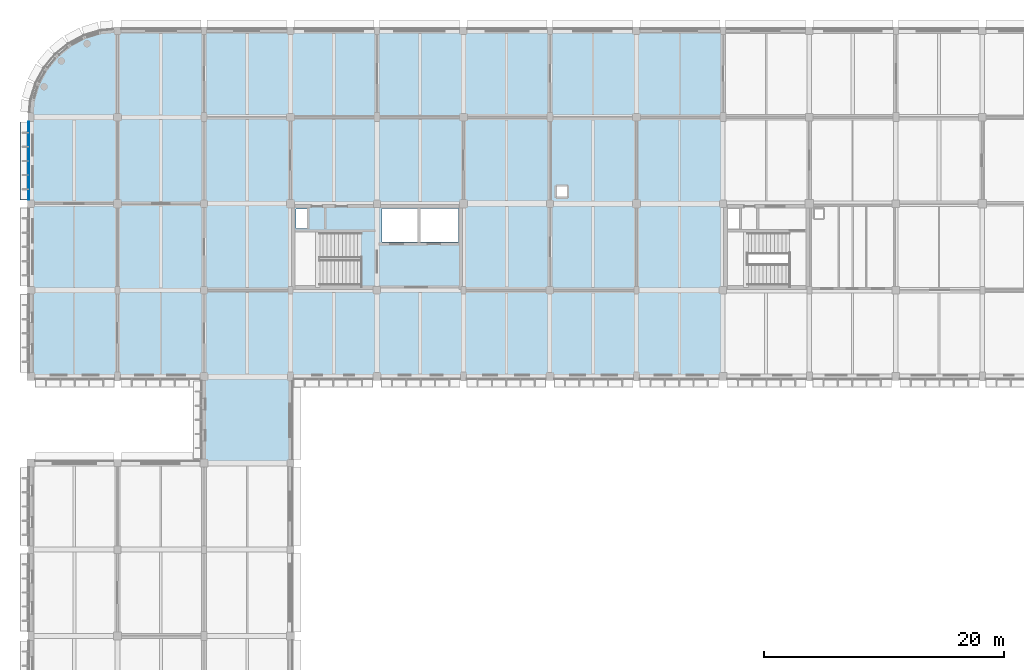
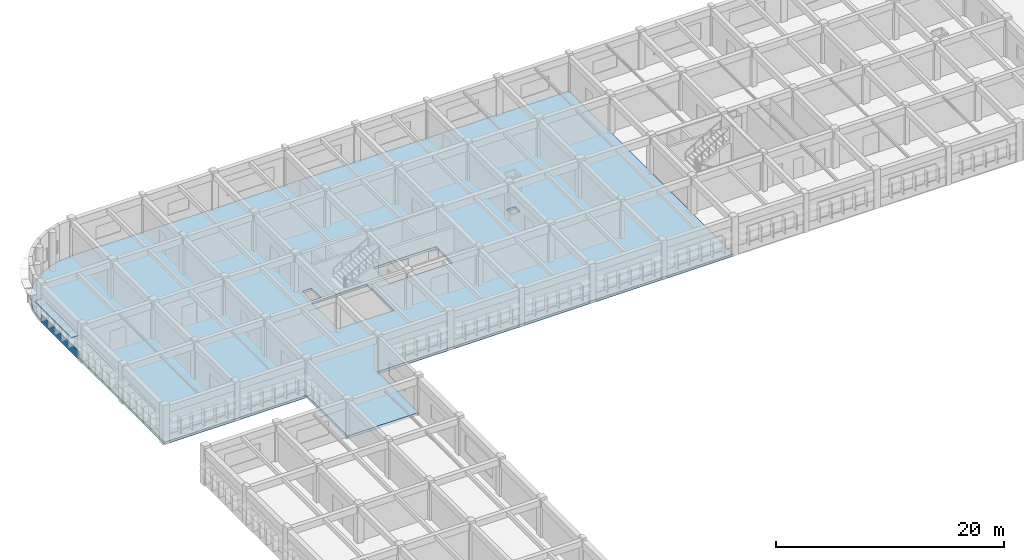
# One storey, part 15 of 38: 2 plates, 1 slab.
"""IFC4 building model written with IfcOpenShell, lengths in metres."""

from ifc_helpers import new_model, si_unit, direction, frame, origin, origin_2d, place, context, subcontext, project, spatial, polyline, rectangle, outline, extrude, material, layer, layer_set, type_object, element, save


model = new_model("IFC4")

# Units and contexts
model_context = context("Model", 3, precision=1e-05, world=origin(), true_north=direction((0.0, 1.0)))
body_context = subcontext(model_context, "Body", "Model", "MODEL_VIEW")
ifc_project = project(units=[si_unit("LENGTHUNIT", "METRE"), si_unit("AREAUNIT", "SQUARE_METRE"), si_unit("VOLUMEUNIT", "CUBIC_METRE"), si_unit("PLANEANGLEUNIT", "RADIAN"), si_unit("MASSUNIT", "GRAM", prefix="KILO")], contexts=[model_context])

# Site, building, storey
site_placement = place(None, origin())
site = spatial("IfcSite", under=ifc_project, at=site_placement, CompositionType="ELEMENT")
building_placement = place(site_placement, origin())
building = spatial("IfcBuilding", under=site, at=building_placement, Name="Thalmaran Polytechnic", CompositionType="ELEMENT")
storey_placement = place(building_placement, frame((0.0, 0.0, 18.60009765625)))
storey = spatial("IfcBuildingStorey", under=building, at=storey_placement, Name="L04", CompositionType="ELEMENT", Elevation=18.60009765625)

# Plates
ifc_material_1 = material(Name="Anodised aluminium spandrel band", Category="aluminium")
ifc_layer_1 = layer(ifc_material_1, 0.054931640625, Name="Anodised aluminium spandrel band")
ifc_layer_set_1 = layer_set([ifc_layer_1], Name="Anodised aluminium spandrel band")
plate_type_1 = type_object("IfcPlateType", Name="PT-BD01", PredefinedType="SHEET", material=ifc_layer_set_1)
plate_1_placement = place(storey_placement, frame((-0.195068359375, 111.5625, 0.02001953125), z_axis=(0.0, 0.0, 1.0), x_axis=(0.0, 1.0, 0.0)))
element("IfcPlate", 1, at=plate_1_placement, inside=storey, type_object=plate_type_1, Name="Streamline Horizontal Spandrel Band L04-044", PredefinedType="SHEET", context=body_context, shape_type="SweptSolid", body=[
    extrude(rectangle(XDim=6.485107421875, YDim=0.054931640625, at=origin_2d()), origin(), (0.0, 0.0, 1.0), 0.8798828125),
])
ifc_material_2 = material(Name="Anodised aluminium sun-hood eyebrow", Category="aluminium")
ifc_layer_2 = layer(ifc_material_2, 0.0849609375, Name="Anodised aluminium sun-hood eyebrow")
ifc_layer_set_2 = layer_set([ifc_layer_2], Name="Anodised aluminium sun-hood eyebrow")
plate_type_2 = type_object("IfcPlateType", Name="PT-EB01", PredefinedType="SHEET", material=ifc_layer_set_2)
plate_2_placement = place(storey_placement, frame((-0.5400390625, 111.5625, 2.517333984375), z_axis=(0.0, 0.0, 1.0), x_axis=(0.0, 1.0, 0.0)))
element("IfcPlate", 2, at=plate_2_placement, inside=storey, type_object=plate_type_2, Name="Streamline Sun-Hood Eyebrow L04-044", PredefinedType="SHEET", context=body_context, shape_type="SweptSolid", body=[
    extrude(rectangle(XDim=6.485107421875, YDim=0.760009765625, at=origin_2d()), origin(), (0.0, 0.0, 1.0), 0.0849609375),
])

# Slab
ifc_material_3 = material(Name="Concrete C40/50", Category="concrete")
ifc_layer_3 = layer(ifc_material_3, 0.260009765625, Name="Concrete C40/50")
ifc_layer_set_3 = layer_set([ifc_layer_3], Name="Concrete C40/50")
slab_type = type_object("IfcSlabType", Name="SL-FL06", PredefinedType="FLOOR", material=ifc_layer_set_3)
slab_placement = place(storey_placement, frame((0.0, 0.0, -0.260009765625)))
element("IfcSlab", 3, at=slab_placement, inside=storey, type_object=slab_type, Name="V2W L04 Structural Slab", PredefinedType="FLOOR", context=body_context, shape_type="SweptSolid", body=[
    extrude(outline(polyline([(0.138427734375, 116.604736328125), (0.548095703125, 117.955322265625), (1.21337890625, 119.2001953125), (2.10888671875, 120.291259765625), (3.199951171875, 121.1865234375), (4.444580078125, 121.85205078125), (5.79541015625, 122.26171875), (7.199951171875, 122.39990234375), (14.39990234375, 122.39990234375), (21.60009765625, 122.39990234375), (28.800048828125, 122.39990234375), (36.0, 122.39990234375), (43.199951171875, 122.39990234375), (50.39990234375, 122.39990234375), (57.60009765625, 122.39990234375), (57.60009765625, 115.199951171875), (57.60009765625, 108.0), (57.60009765625, 100.800048828125), (57.60009765625, 93.60009765625), (50.39990234375, 93.60009765625), (43.199951171875, 93.60009765625), (36.0, 93.60009765625), (28.800048828125, 93.60009765625), (21.60009765625, 93.60009765625), (21.60009765625, 86.39990234375), (14.39990234375, 86.39990234375), (14.39990234375, 93.60009765625), (7.199951171875, 93.60009765625), (0.0, 93.60009765625), (0.0, 100.800048828125), (0.0, 108.0), (0.0, 115.199951171875), (0.138427734375, 116.604736328125)]), holes=[polyline([(44.64990234375, 109.449951171875), (43.75, 109.449951171875), (43.75, 108.550048828125), (44.64990234375, 108.550048828125), (44.64990234375, 109.449951171875)]), polyline([(29.199951171875, 107.60009765625), (29.199951171875, 104.800048828125), (35.60009765625, 104.800048828125), (35.60009765625, 107.60009765625), (29.199951171875, 107.60009765625)]), polyline([(27.47998046875, 101.050048828125), (27.47998046875, 105.639892578125), (21.85009765625, 105.639892578125), (21.85009765625, 101.050048828125), (27.47998046875, 101.050048828125)]), polyline([(22.0400390625, 105.93994140625), (22.9599609375, 105.93994140625), (22.9599609375, 107.56005859375), (22.0400390625, 107.56005859375), (22.0400390625, 105.93994140625)])]), origin(), (0.0, 0.0, 1.0), 0.260009765625),
])

save(model, "model.ifc")
